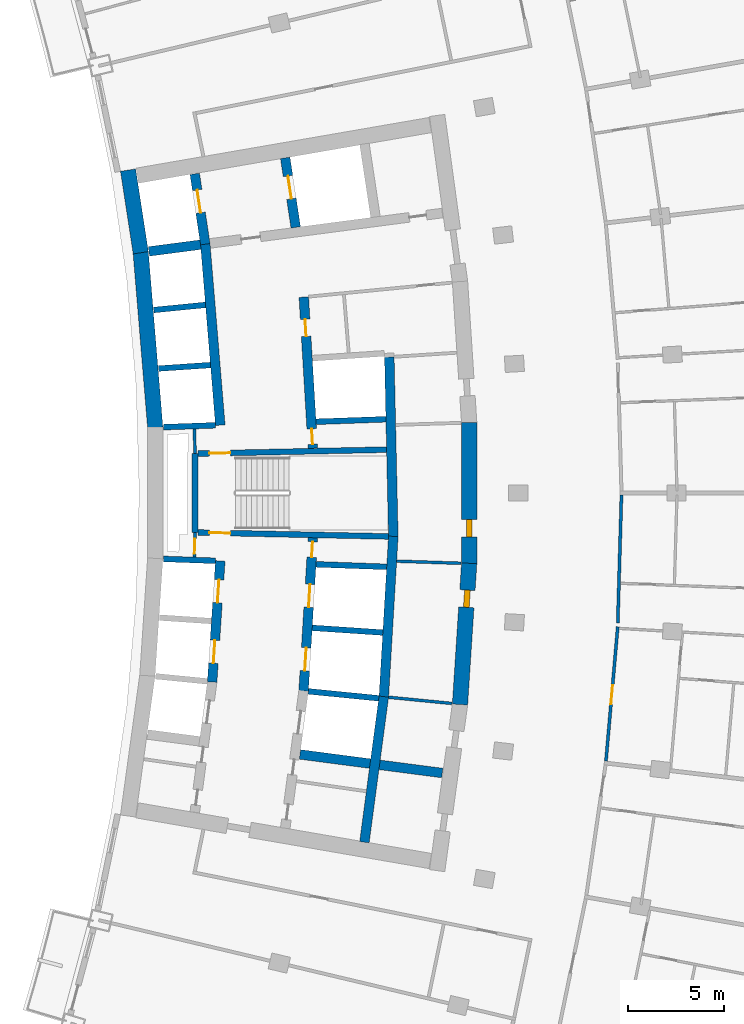
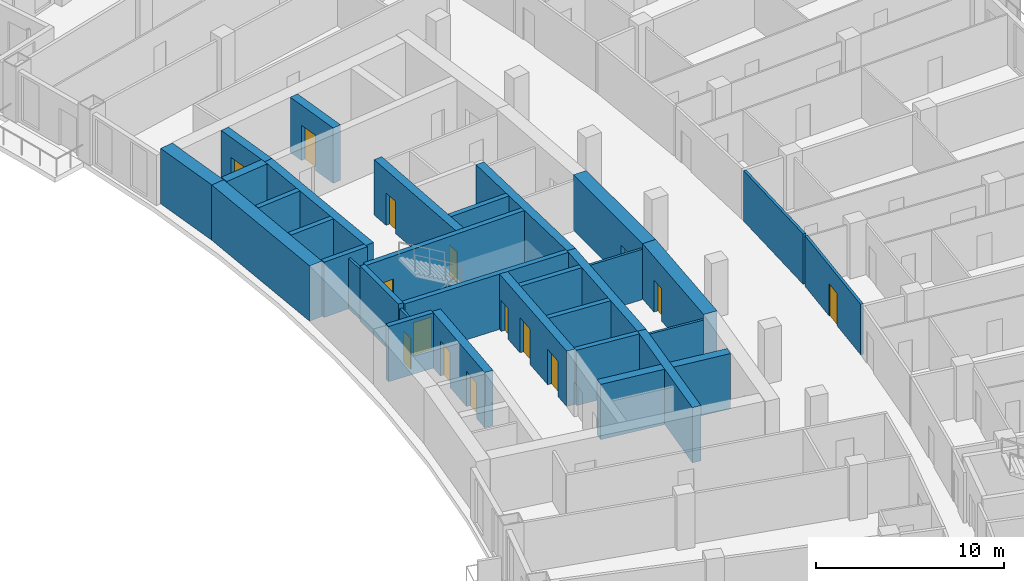
# One storey, part 16 of 25: 33 walls, 15 doors, 15 openings.
"""IFC4 building model written with IfcOpenShell, lengths in metres."""

from ifc_helpers import new_model, si_unit, direction, frame, frame_2d, origin, place, context, subcontext, project, spatial, rectangle, extrude, material, layer, layer_set, type_object, element, fill, save


model = new_model("IFC4")

# Units and contexts
model_context = context("Model", 3, precision=1e-05, world=origin(), true_north=direction((0.0, 1.0)))
body_context = subcontext(model_context, "Body", "Model", "MODEL_VIEW")
ifc_project = project(units=[si_unit("LENGTHUNIT", "METRE"), si_unit("AREAUNIT", "SQUARE_METRE"), si_unit("VOLUMEUNIT", "CUBIC_METRE"), si_unit("PLANEANGLEUNIT", "RADIAN"), si_unit("MASSUNIT", "GRAM", prefix="KILO")], contexts=[model_context])

# Site, building, storey
site_placement = place(None, origin())
site = spatial("IfcSite", under=ifc_project, at=site_placement, CompositionType="ELEMENT")
building_placement = place(site_placement, origin())
building = spatial("IfcBuilding", under=site, at=building_placement, Name="Alderwake Tower", CompositionType="ELEMENT")
storey_placement = place(building_placement, frame((0.0, 0.0, 118.39990234375)))
storey = spatial("IfcBuildingStorey", under=building, at=storey_placement, Name="L29", CompositionType="ELEMENT", Elevation=118.39990234375)

# Wall, opening, door
ifc_material_1 = material(Name="Gypsum shaft wall system, rated")
ifc_layer_1 = layer(ifc_material_1, 0.14990234375)
ifc_layer_set_1 = layer_set([ifc_layer_1], Name="Core room partition 150")
wall_type_1 = type_object("IfcWallType", Name="Core room partition 150", PredefinedType="PARTITIONING", material=ifc_layer_set_1)
wall_1_placement = place(storey_placement, frame((18.918701171875, 58.94384765625, 0.0), z_axis=(0.0, 0.0, 1.0), x_axis=(-0.027348257573, -0.999625966453, 0.0)))
wall_1 = element("IfcWall", 1, at=wall_1_placement, inside=storey, type_object=wall_type_1, Name="CW/L29/PA+24_-37", PredefinedType="PARTITIONING", context=body_context, shape_type="SweptSolid", body=[
    extrude(rectangle(XDim=1.29443359375, YDim=0.14990234375, at=frame_2d((0.647216796875, 0.0))), origin(), (0.0, 0.0, 1.0), 3.280029296875),
])
opening_1_placement = place(wall_1_placement, frame((0.322998046875, 0.0, 0.0)))
opening_1 = element("IfcOpeningElement", 2, at=opening_1_placement, cuts=wall_1, Name="Opening C004", PredefinedType="OPENING", context=body_context, shape_type="SweptSolid", body=[
    extrude(rectangle(XDim=0.800048828125, YDim=2.0, at=frame_2d((0.39990234375, 1.0))), frame((0.0, 0.0849609375, 0.0), z_axis=(0.0, -1.0, 0.0), x_axis=(1.0, 0.0, 0.0)), (0.0, 0.0, 1.0), 0.169921875),
])
ifc_material_2 = material(Name="Painted steel leaf, rated", Category="steel")
door_type_1 = type_object("IfcDoorType", Name="Riser access door 800", OperationType="SINGLE_SWING_LEFT", PredefinedType="DOOR", material=ifc_material_2)
door_1_placement = place(opening_1_placement, origin())
door_1 = element("IfcDoor", 3, at=door_1_placement, inside=storey, type_object=door_type_1, Name="Riser access door", OperationType="SINGLE_SWING_RIGHT", OverallHeight=2.0, OverallWidth=0.800048828125, PredefinedType="DOOR", context=body_context, shape_type="SweptSolid", body=[
    extrude(rectangle(XDim=0.800048828125, YDim=2.0, at=frame_2d((0.39990234375, 1.0))), frame((0.0, 0.02490234375, 0.0), z_axis=(0.0, -1.0, 0.0), x_axis=(1.0, 0.0, 0.0)), (0.0, 0.0, 1.0), 0.050048828125),
])
fill(opening_1, door_1)

# Walls
wall_2_placement = place(storey_placement, frame((18.918701171875, 63.05517578125, 0.0), z_axis=(0.0, 0.0, 1.0), x_axis=(-0.027327648352, 0.999626530078, 0.0)))
element("IfcWall", 4, at=wall_2_placement, inside=storey, type_object=wall_type_1, Name="CW/L29/PA+24_+22", PredefinedType="PARTITIONING", context=body_context, shape_type="SweptSolid", body=[
    extrude(rectangle(XDim=1.29541015625, YDim=0.14990234375, at=frame_2d((0.647705078125, 0.0))), origin(), (0.0, 0.0, 1.0), 3.280029296875),
])
wall_3_placement = place(storey_placement, frame((29.029296875, 50.331298828125, 0.0), z_axis=(0.0, 0.0, 1.0), x_axis=(0.995248248589, -0.097370034814, 0.0)))
element("IfcWall", 5, at=wall_3_placement, inside=storey, type_object=wall_type_1, Name="CW/L29/PR-102_+128", PredefinedType="PARTITIONING", context=body_context, shape_type="SweptSolid", body=[
    extrude(rectangle(XDim=3.31982421875, YDim=0.14990234375, at=frame_2d((1.659912109375, 0.0))), origin(), (0.0, 0.0, 1.0), 3.280029296875),
])
wall_4_placement = place(storey_placement, frame((29.45068359375, 57.440185546875, 0.0), z_axis=(0.0, 0.0, 1.0), x_axis=(0.999470404779, -0.0325408969, 0.0)))
element("IfcWall", 6, at=wall_4_placement, inside=storey, type_object=wall_type_1, Name="CW/L29/PR-34_+128", PredefinedType="PARTITIONING", context=body_context, shape_type="SweptSolid", body=[
    extrude(rectangle(XDim=3.361083984375, YDim=0.14990234375, at=frame_2d((1.6806640625, 0.0))), origin(), (0.0, 0.0, 1.0), 3.280029296875),
])
ifc_material_3 = material(Name="Concrete C70/85", Category="concrete")
ifc_layer_2 = layer(ifc_material_3, 0.800048828125)
ifc_layer_set_2 = layer_set([ifc_layer_2], Name="Core wall outer 800 C70-85")
wall_type_2 = type_object("IfcWallType", Name="Core wall outer 800 C70-85", PredefinedType="SHEAR", material=ifc_layer_set_2)
wall_5_placement = place(storey_placement, frame((16.8408203125, 64.410888671875, 0.0), z_axis=(0.0, 0.0, 1.0), x_axis=(-0.082619502339, 0.996581164699, 0.0)))
element("IfcWall", 7, at=wall_5_placement, inside=storey, type_object=wall_type_2, Name="Core wall CW.040", PredefinedType="SHEAR", context=body_context, shape_type="SweptSolid", body=[
    extrude(rectangle(XDim=9.201904296875, YDim=0.800048828125, at=frame_2d((4.60107421875, 0.0))), origin(), (0.0, 0.0, 1.0), 3.60009765625),
])
wall_6_placement = place(storey_placement, frame((16.083984375, 73.552490234375, 0.0), z_axis=(0.0, 0.0, 1.0), x_axis=(-0.151981606421, 0.988383322052, 0.0)))
element("IfcWall", 8, at=wall_6_placement, inside=storey, type_object=wall_type_2, Name="Core wall CW.039", PredefinedType="SHEAR", context=body_context, shape_type="SweptSolid", body=[
    extrude(rectangle(XDim=4.369384765625, YDim=0.800048828125, at=frame_2d((2.1845703125, 0.0))), origin(), (0.0, 0.0, 1.0), 3.60009765625),
])

# Wall, opening, door
wall_7_placement = place(storey_placement, frame((33.240966796875, 57.330322265625, 0.0), z_axis=(0.0, 0.0, 1.0), x_axis=(-0.064976219143, -0.997886812693, 0.0)))
wall_7 = element("IfcWall", 9, at=wall_7_placement, inside=storey, type_object=wall_type_2, Name="Core wall CW.011", PredefinedType="SHEAR", context=body_context, shape_type="SweptSolid", body=[
    extrude(rectangle(XDim=7.39453125, YDim=0.800048828125, at=frame_2d((3.697265625, 0.0))), origin(), (0.0, 0.0, 1.0), 3.60009765625),
])
opening_2_placement = place(wall_7_placement, frame((1.40478515625, 0.0, 0.0)))
opening_2 = element("IfcOpeningElement", 10, at=opening_2_placement, cuts=wall_7, Name="Opening C026", PredefinedType="OPENING", context=body_context, shape_type="SweptSolid", body=[
    extrude(rectangle(XDim=0.89990234375, YDim=2.10009765625, at=frame_2d((0.449951171875, 1.050048828125))), frame((0.0, 0.409912109375, 0.0), z_axis=(0.0, -1.0, 0.0), x_axis=(1.0, 0.0, 0.0)), (0.0, 0.0, 1.0), 0.820068359375),
])
ifc_material_4 = material(Name="Painted steel leaf", Category="steel")
door_type_2 = type_object("IfcDoorType", Name="Core room door 900", OperationType="SINGLE_SWING_LEFT", PredefinedType="DOOR", material=ifc_material_4)
door_2_placement = place(opening_2_placement, origin())
door_2 = element("IfcDoor", 11, at=door_2_placement, inside=storey, type_object=door_type_2, Name="Room door", OperationType="SINGLE_SWING_RIGHT", OverallHeight=2.10009765625, OverallWidth=0.89990234375, PredefinedType="DOOR", context=body_context, shape_type="SweptSolid", body=[
    extrude(rectangle(XDim=0.89990234375, YDim=2.10009765625, at=frame_2d((0.449951171875, 1.050048828125))), frame((0.0, 0.14990234375, 0.0), z_axis=(0.0, -1.0, 0.0), x_axis=(1.0, 0.0, 0.0)), (0.0, 0.0, 1.0), 0.300048828125),
])
fill(opening_2, door_2)

wall_8_placement = place(storey_placement, frame((33.239990234375, 64.69677734375, 0.0), z_axis=(0.0, 0.0, 1.0), x_axis=(0.0, -1.0, 0.0)))
wall_8 = element("IfcWall", 12, at=wall_8_placement, inside=storey, type_object=wall_type_2, Name="Core wall CW.013", PredefinedType="SHEAR", context=body_context, shape_type="SweptSolid", body=[
    extrude(rectangle(XDim=7.3935546875, YDim=0.800048828125, at=frame_2d((3.69677734375, 0.0))), origin(), (0.0, 0.0, 1.0), 3.60009765625),
])
opening_3_placement = place(wall_8_placement, frame((5.08837890625, 0.0, 0.0)))
opening_3 = element("IfcOpeningElement", 13, at=opening_3_placement, cuts=wall_8, Name="Opening C030", PredefinedType="OPENING", context=body_context, shape_type="SweptSolid", body=[
    extrude(rectangle(XDim=0.89990234375, YDim=2.10009765625, at=frame_2d((0.449951171875, 1.050048828125))), frame((0.0, 0.409912109375, 0.0), z_axis=(0.0, -1.0, 0.0), x_axis=(1.0, 0.0, 0.0)), (0.0, 0.0, 1.0), 0.820068359375),
])
door_3_placement = place(opening_3_placement, origin())
door_3 = element("IfcDoor", 14, at=door_3_placement, inside=storey, type_object=door_type_2, Name="Room door", OperationType="SINGLE_SWING_LEFT", OverallHeight=2.10009765625, OverallWidth=0.89990234375, PredefinedType="DOOR", context=body_context, shape_type="SweptSolid", body=[
    extrude(rectangle(XDim=0.89990234375, YDim=2.10009765625, at=frame_2d((0.449951171875, 1.050048828125))), frame((0.0, 0.14990234375, 0.0), z_axis=(0.0, -1.0, 0.0), x_axis=(1.0, 0.0, 0.0)), (0.0, 0.0, 1.0), 0.300048828125),
])
fill(opening_3, door_3)

# Walls
ifc_material_5 = material(Name="Concrete C70/85", Category="concrete")
ifc_layer_3 = layer(ifc_material_5, 0.300048828125)
ifc_layer_set_3 = layer_set([ifc_layer_3], Name="Core wall shaft 300 C70-85")
wall_type_3 = type_object("IfcWallType", Name="Core wall shaft 300 C70-85", PredefinedType="SHEAR", material=ifc_layer_set_3)
wall_9_placement = place(storey_placement, frame((24.839599609375, 50.64013671875, 0.0), z_axis=(0.0, 0.0, 1.0), x_axis=(0.995150987401, -0.098359098589, 0.0)))
element("IfcWall", 15, at=wall_9_placement, inside=storey, type_object=wall_type_3, Name="Core wall CW.066", PredefinedType="SHEAR", context=body_context, shape_type="SweptSolid", body=[
    extrude(rectangle(XDim=3.69580078125, YDim=0.300048828125, at=frame_2d((1.847900390625, 0.0))), origin(), (0.0, 0.0, 1.0), 3.60009765625),
])
wall_10_placement = place(storey_placement, frame((25.0400390625, 53.9580078125, 0.0), z_axis=(0.0, 0.0, 1.0), x_axis=(0.997759957359, -0.066895945251, 0.0)))
element("IfcWall", 16, at=wall_10_placement, inside=storey, type_object=wall_type_3, Name="Core wall CW.080", PredefinedType="SHEAR", context=body_context, shape_type="SweptSolid", body=[
    extrude(rectangle(XDim=3.697021484375, YDim=0.300048828125, at=frame_2d((1.8486328125, 0.0))), origin(), (0.0, 0.0, 1.0), 3.60009765625),
])
wall_11_placement = place(storey_placement, frame((17.269287109375, 57.556884765625, 0.0), z_axis=(0.0, 0.0, 1.0), x_axis=(0.999374351644, -0.035368139275, 0.0)))
element("IfcWall", 17, at=wall_11_placement, inside=storey, type_object=wall_type_3, Name="Core wall CW.076", PredefinedType="SHEAR", context=body_context, shape_type="SweptSolid", body=[
    extrude(rectangle(XDim=2.7197265625, YDim=0.300048828125, at=frame_2d((1.35986328125, 0.0))), origin(), (0.0, 0.0, 1.0), 3.60009765625),
])
wall_12_placement = place(storey_placement, frame((25.240478515625, 57.27490234375, 0.0), z_axis=(0.0, 0.0, 1.0), x_axis=(0.999372332678, -0.035425141877, 0.0)))
element("IfcWall", 18, at=wall_12_placement, inside=storey, type_object=wall_type_3, Name="Core wall CW.077", PredefinedType="SHEAR", context=body_context, shape_type="SweptSolid", body=[
    extrude(rectangle(XDim=3.69384765625, YDim=0.300048828125, at=frame_2d((1.846923828125, 0.0))), origin(), (0.0, 0.0, 1.0), 3.60009765625),
])
wall_13_placement = place(storey_placement, frame((17.269287109375, 64.443115234375, 0.0), z_axis=(0.0, 0.0, 1.0), x_axis=(0.999374239339, 0.03537131246, 0.0)))
element("IfcWall", 19, at=wall_13_placement, inside=storey, type_object=wall_type_3, Name="Core wall CW.059", PredefinedType="SHEAR", context=body_context, shape_type="SweptSolid", body=[
    extrude(rectangle(XDim=2.719482421875, YDim=0.300048828125, at=frame_2d((1.35986328125, 0.0))), origin(), (0.0, 0.0, 1.0), 3.60009765625),
])
wall_14_placement = place(storey_placement, frame((25.2412109375, 64.725341796875, 0.0), z_axis=(0.0, 0.0, 1.0), x_axis=(0.999374468163, 0.035364846723, 0.0)))
element("IfcWall", 20, at=wall_14_placement, inside=storey, type_object=wall_type_3, Name="Core wall CW.060", PredefinedType="SHEAR", context=body_context, shape_type="SweptSolid", body=[
    extrude(rectangle(XDim=3.65185546875, YDim=0.300048828125, at=frame_2d((1.825927734375, 0.0))), origin(), (0.0, 0.0, 1.0), 3.60009765625),
])
for number, where, z_axis, x_axis, name in (
    (21, (17.015869140625, 67.50390625, 0.0), (0.0, 0.0, 1.0), (0.997756033475, 0.066954444689, 0.0), "Core wall CW.062"),
    (22, (16.76220703125, 70.561767578125, 0.0), (0.0, 0.0, 1.0), (0.995154832978, 0.098320183083, 0.0), "Core wall CW.050"),
):
    element("IfcWall", number, at=place(storey_placement, frame(where, z_axis=z_axis, x_axis=x_axis)), inside=storey, type_object=wall_type_3, Name=name, PredefinedType="SHEAR", context=body_context, shape_type="SweptSolid", body=[
        extrude(rectangle(XDim=2.716552734375, YDim=0.300048828125, at=frame_2d((1.3583984375, 0.0))), origin(), (0.0, 0.0, 1.0), 3.60009765625),
    ])

# Wall, openings, doors
ifc_material_6 = material(Name="Concrete C70/85", Category="concrete")
ifc_layer_4 = layer(ifc_material_6, 0.5)
ifc_layer_set_4 = layer_set([ifc_layer_4], Name="Core wall spine 500 C70-85")
wall_type_4 = type_object("IfcWallType", Name="Core wall spine 500 C70-85", PredefinedType="SHEAR", material=ifc_layer_set_4)
wall_15_placement = place(storey_placement, frame((19.813232421875, 51.1279296875, 0.0), z_axis=(0.0, 0.0, 1.0), x_axis=(0.066907604831, 0.997759175561, 0.0)))
wall_15 = element("IfcWall", 23, at=wall_15_placement, inside=storey, type_object=wall_type_4, Name="Core wall CW.032", PredefinedType="SHEAR", context=body_context, shape_type="SweptSolid", body=[
    extrude(rectangle(XDim=6.338134765625, YDim=0.5, at=frame_2d((3.1689453125, 0.0))), origin(), (0.0, 0.0, 1.0), 3.60009765625),
])
opening_4_placement = place(wall_15_placement, frame((0.990966796875, 0.0, 0.0)))
opening_4 = element("IfcOpeningElement", 24, at=opening_4_placement, cuts=wall_15, Name="Opening LD-LP2", PredefinedType="OPENING", context=body_context, shape_type="SweptSolid", body=[
    extrude(rectangle(XDim=1.199951171875, YDim=2.300048828125, at=frame_2d((0.60009765625, 1.14990234375))), frame((0.0, 0.260009765625, 0.0), z_axis=(0.0, -1.0, 0.0), x_axis=(1.0, 0.0, 0.0)), (0.0, 0.0, 1.0), 0.52001953125),
])
opening_5_placement = place(wall_15_placement, frame((4.156005859375, 0.0, 0.0)))
opening_5 = element("IfcOpeningElement", 25, at=opening_5_placement, cuts=wall_15, Name="Opening LD-LP3", PredefinedType="OPENING", context=body_context, shape_type="SweptSolid", body=[
    extrude(rectangle(XDim=1.199951171875, YDim=2.300048828125, at=frame_2d((0.60009765625, 1.14990234375))), frame((0.0, 0.260009765625, 0.0), z_axis=(0.0, -1.0, 0.0), x_axis=(1.0, 0.0, 0.0)), (0.0, 0.0, 1.0), 0.52001953125),
])
ifc_material_7 = material(Name="Stainless steel sliding leaf", Category="steel")
door_type_3 = type_object("IfcDoorType", Name="Lift landing door 1200", OperationType="SLIDING_TO_LEFT", PredefinedType="DOOR", material=ifc_material_7)
door_4_placement = place(opening_4_placement, origin())
door_4 = element("IfcDoor", 26, at=door_4_placement, inside=storey, type_object=door_type_3, Name="Lift landing door LP2", OperationType="SLIDING_TO_LEFT", OverallHeight=2.300048828125, OverallWidth=1.199951171875, PredefinedType="DOOR", context=body_context, shape_type="SweptSolid", body=[
    extrude(rectangle(XDim=1.199951171875, YDim=2.300048828125, at=frame_2d((0.60009765625, 1.14990234375))), frame((0.0, 0.02490234375, 0.0), z_axis=(0.0, -1.0, 0.0), x_axis=(1.0, 0.0, 0.0)), (0.0, 0.0, 1.0), 0.050048828125),
])
fill(opening_4, door_4)
door_5_placement = place(opening_5_placement, origin())
door_5 = element("IfcDoor", 27, at=door_5_placement, inside=storey, type_object=door_type_3, Name="Lift landing door LP3", OperationType="SLIDING_TO_LEFT", OverallHeight=2.300048828125, OverallWidth=1.199951171875, PredefinedType="DOOR", context=body_context, shape_type="SweptSolid", body=[
    extrude(rectangle(XDim=1.199951171875, YDim=2.300048828125, at=frame_2d((0.60009765625, 1.14990234375))), frame((0.0, 0.02490234375, 0.0), z_axis=(0.0, -1.0, 0.0), x_axis=(1.0, 0.0, 0.0)), (0.0, 0.0, 1.0), 0.050048828125),
])
fill(opening_5, door_5)

# Wall
wall_16_placement = place(storey_placement, frame((20.2373046875, 64.548095703125, 0.0), z_axis=(0.0, 0.0, 1.0), x_axis=(-0.082641410547, 0.996579348202, 0.0)))
element("IfcWall", 28, at=wall_16_placement, inside=storey, type_object=wall_type_4, Name="Core wall CW.031", PredefinedType="SHEAR", context=body_context, shape_type="SweptSolid", body=[
    extrude(rectangle(XDim=9.500732421875, YDim=0.5, at=frame_2d((4.75048828125, 0.0))), origin(), (0.0, 0.0, 1.0), 3.60009765625),
])

# Wall, opening, door
wall_17_placement = place(storey_placement, frame((19.4541015625, 73.9990234375, 0.0), z_axis=(0.0, 0.0, 1.0), x_axis=(-0.14792928808, 0.988997940204, 0.0)))
wall_17 = element("IfcWall", 29, at=wall_17_placement, inside=storey, type_object=wall_type_4, Name="Core wall CW.030", PredefinedType="SHEAR", context=body_context, shape_type="SweptSolid", body=[
    extrude(rectangle(XDim=3.716552734375, YDim=0.5, at=frame_2d((1.8583984375, 0.0))), origin(), (0.0, 0.0, 1.0), 3.60009765625),
])
opening_6_placement = place(wall_17_placement, frame((1.66259765625, 0.0, 0.0)))
opening_6 = element("IfcOpeningElement", 30, at=opening_6_placement, cuts=wall_17, Name="Opening LD-FF1", PredefinedType="OPENING", context=body_context, shape_type="SweptSolid", body=[
    extrude(rectangle(XDim=1.199951171875, YDim=2.300048828125, at=frame_2d((0.60009765625, 1.14990234375))), frame((0.0, 0.260009765625, 0.0), z_axis=(0.0, -1.0, 0.0), x_axis=(1.0, 0.0, 0.0)), (0.0, 0.0, 1.0), 0.52001953125),
])
door_6_placement = place(opening_6_placement, origin())
door_6 = element("IfcDoor", 31, at=door_6_placement, inside=storey, type_object=door_type_3, Name="Lift landing door FF1", OperationType="SLIDING_TO_LEFT", OverallHeight=2.300048828125, OverallWidth=1.199951171875, PredefinedType="DOOR", context=body_context, shape_type="SweptSolid", body=[
    extrude(rectangle(XDim=1.199951171875, YDim=2.300048828125, at=frame_2d((0.60009765625, 1.14990234375))), frame((0.0, 0.02490234375, 0.0), z_axis=(0.0, -1.0, 0.0), x_axis=(1.0, 0.0, 0.0)), (0.0, 0.0, 1.0), 0.050048828125),
])
fill(opening_6, door_6)

# Wall, openings, doors
wall_18_placement = place(storey_placement, frame((24.590087890625, 50.655029296875, 0.0), z_axis=(0.0, 0.0, 1.0), x_axis=(0.060305817737, 0.998179947879, 0.0)))
wall_18 = element("IfcWall", 32, at=wall_18_placement, inside=storey, type_object=wall_type_4, Name="Core wall CW.046", PredefinedType="SHEAR", context=body_context, shape_type="SweptSolid", body=[
    extrude(rectangle(XDim=8.02392578125, YDim=0.5, at=frame_2d((4.011962890625, 0.0))), origin(), (0.0, 0.0, 1.0), 3.60009765625),
])
opening_7_placement = place(wall_18_placement, frame((1.067138671875, 0.0, 0.0)))
opening_7 = element("IfcOpeningElement", 33, at=opening_7_placement, cuts=wall_18, Name="Opening LD-LP5", PredefinedType="OPENING", context=body_context, shape_type="SweptSolid", body=[
    extrude(rectangle(XDim=1.199951171875, YDim=2.300048828125, at=frame_2d((0.60009765625, 1.14990234375))), frame((0.0, 0.260009765625, 0.0), z_axis=(0.0, -1.0, 0.0), x_axis=(1.0, 0.0, 0.0)), (0.0, 0.0, 1.0), 0.52001953125),
])
opening_8_placement = place(wall_18_placement, frame((4.383544921875, 0.0, 0.0)))
opening_8 = element("IfcOpeningElement", 34, at=opening_8_placement, cuts=wall_18, Name="Opening LD-LP6", PredefinedType="OPENING", context=body_context, shape_type="SweptSolid", body=[
    extrude(rectangle(XDim=1.199951171875, YDim=2.300048828125, at=frame_2d((0.60009765625, 1.14990234375))), frame((0.0, 0.260009765625, 0.0), z_axis=(0.0, -1.0, 0.0), x_axis=(1.0, 0.0, 0.0)), (0.0, 0.0, 1.0), 0.52001953125),
])
opening_9_placement = place(wall_18_placement, frame((7.0078125, 0.0, 0.0)))
opening_9 = element("IfcOpeningElement", 35, at=opening_9_placement, cuts=wall_18, Name="Opening C006", PredefinedType="OPENING", context=body_context, shape_type="SweptSolid", body=[
    extrude(rectangle(XDim=0.800048828125, YDim=2.0, at=frame_2d((0.39990234375, 1.0))), frame((0.0, 0.260009765625, 0.0), z_axis=(0.0, -1.0, 0.0), x_axis=(1.0, 0.0, 0.0)), (0.0, 0.0, 1.0), 0.52001953125),
])
door_7_placement = place(opening_7_placement, origin())
door_7 = element("IfcDoor", 36, at=door_7_placement, inside=storey, type_object=door_type_3, Name="Lift landing door LP5", OperationType="SLIDING_TO_LEFT", OverallHeight=2.300048828125, OverallWidth=1.199951171875, PredefinedType="DOOR", context=body_context, shape_type="SweptSolid", body=[
    extrude(rectangle(XDim=1.199951171875, YDim=2.300048828125, at=frame_2d((0.60009765625, 1.14990234375))), frame((0.0, 0.02490234375, 0.0), z_axis=(0.0, -1.0, 0.0), x_axis=(1.0, 0.0, 0.0)), (0.0, 0.0, 1.0), 0.050048828125),
])
fill(opening_7, door_7)
door_8_placement = place(opening_8_placement, origin())
door_8 = element("IfcDoor", 37, at=door_8_placement, inside=storey, type_object=door_type_3, Name="Lift landing door LP6", OperationType="SLIDING_TO_LEFT", OverallHeight=2.300048828125, OverallWidth=1.199951171875, PredefinedType="DOOR", context=body_context, shape_type="SweptSolid", body=[
    extrude(rectangle(XDim=1.199951171875, YDim=2.300048828125, at=frame_2d((0.60009765625, 1.14990234375))), frame((0.0, 0.02490234375, 0.0), z_axis=(0.0, -1.0, 0.0), x_axis=(1.0, 0.0, 0.0)), (0.0, 0.0, 1.0), 0.050048828125),
])
fill(opening_8, door_8)
door_9_placement = place(opening_9_placement, origin())
door_9 = element("IfcDoor", 38, at=door_9_placement, inside=storey, type_object=door_type_1, Name="Riser access door", OperationType="SINGLE_SWING_RIGHT", OverallHeight=2.0, OverallWidth=0.800048828125, PredefinedType="DOOR", context=body_context, shape_type="SweptSolid", body=[
    extrude(rectangle(XDim=0.800048828125, YDim=2.0, at=frame_2d((0.39990234375, 1.0))), frame((0.0, 0.02490234375, 0.0), z_axis=(0.0, -1.0, 0.0), x_axis=(1.0, 0.0, 0.0)), (0.0, 0.0, 1.0), 0.050048828125),
])
fill(opening_9, door_9)

wall_19_placement = place(storey_placement, frame((25.073974609375, 63.335693359375, 0.0), z_axis=(0.0, 0.0, 1.0), x_axis=(-0.059848641072, 0.998207463487, 0.0)))
wall_19 = element("IfcWall", 39, at=wall_19_placement, inside=storey, type_object=wall_type_4, Name="Core wall CW.045", PredefinedType="SHEAR", context=body_context, shape_type="SweptSolid", body=[
    extrude(rectangle(XDim=7.913818359375, YDim=0.5, at=frame_2d((3.95703125, 0.0))), origin(), (0.0, 0.0, 1.0), 3.60009765625),
])
opening_10_placement = place(wall_19_placement, frame((0.216064453125, 0.0, 0.0)))
opening_10 = element("IfcOpeningElement", 40, at=opening_10_placement, cuts=wall_19, Name="Opening C005", PredefinedType="OPENING", context=body_context, shape_type="SweptSolid", body=[
    extrude(rectangle(XDim=0.800048828125, YDim=2.0, at=frame_2d((0.39990234375, 1.0))), frame((0.0, 0.260009765625, 0.0), z_axis=(0.0, -1.0, 0.0), x_axis=(1.0, 0.0, 0.0)), (0.0, 0.0, 1.0), 0.52001953125),
])
opening_11_placement = place(wall_19_placement, frame((5.856201171875, 0.0, 0.0)))
opening_11 = element("IfcOpeningElement", 41, at=opening_11_placement, cuts=wall_19, Name="Opening C024", PredefinedType="OPENING", context=body_context, shape_type="SweptSolid", body=[
    extrude(rectangle(XDim=0.89990234375, YDim=2.10009765625, at=frame_2d((0.449951171875, 1.050048828125))), frame((0.0, 0.260009765625, 0.0), z_axis=(0.0, -1.0, 0.0), x_axis=(1.0, 0.0, 0.0)), (0.0, 0.0, 1.0), 0.52001953125),
])
door_10_placement = place(opening_11_placement, origin())
door_10 = element("IfcDoor", 42, at=door_10_placement, inside=storey, type_object=door_type_2, Name="Room door", OperationType="SINGLE_SWING_LEFT", OverallHeight=2.10009765625, OverallWidth=0.89990234375, PredefinedType="DOOR", context=body_context, shape_type="SweptSolid", body=[
    extrude(rectangle(XDim=0.89990234375, YDim=2.10009765625, at=frame_2d((0.449951171875, 1.050048828125))), frame((0.0, 0.02490234375, 0.0), z_axis=(0.0, -1.0, 0.0), x_axis=(1.0, 0.0, 0.0)), (0.0, 0.0, 1.0), 0.050048828125),
])
fill(opening_11, door_10)
door_11_placement = place(opening_10_placement, origin())
door_11 = element("IfcDoor", 43, at=door_11_placement, inside=storey, type_object=door_type_1, Name="Riser access door", OperationType="SINGLE_SWING_LEFT", OverallHeight=2.0, OverallWidth=0.800048828125, PredefinedType="DOOR", context=body_context, shape_type="SweptSolid", body=[
    extrude(rectangle(XDim=0.800048828125, YDim=2.0, at=frame_2d((0.39990234375, 1.0))), frame((0.0, 0.02490234375, 0.0), z_axis=(0.0, -1.0, 0.0), x_axis=(1.0, 0.0, 0.0)), (0.0, 0.0, 1.0), 0.050048828125),
])
fill(opening_10, door_11)

# Wall, opening, door
wall_20_placement = place(storey_placement, frame((24.1796875, 74.878173828125, 0.0), z_axis=(0.0, 0.0, 1.0), x_axis=(-0.149334835296, 0.988786684259, 0.0)))
wall_20 = element("IfcWall", 44, at=wall_20_placement, inside=storey, type_object=wall_type_4, Name="Core wall CW.044", PredefinedType="SHEAR", context=body_context, shape_type="SweptSolid", body=[
    extrude(rectangle(XDim=3.673583984375, YDim=0.5, at=frame_2d((1.8369140625, 0.0))), origin(), (0.0, 0.0, 1.0), 3.60009765625),
])
opening_12_placement = place(wall_20_placement, frame((1.51171875, 0.0, 0.0)))
opening_12 = element("IfcOpeningElement", 45, at=opening_12_placement, cuts=wall_20, Name="Opening LD-FF2", PredefinedType="OPENING", context=body_context, shape_type="SweptSolid", body=[
    extrude(rectangle(XDim=1.199951171875, YDim=2.300048828125, at=frame_2d((0.60009765625, 1.14990234375))), frame((0.0, 0.260009765625, 0.0), z_axis=(0.0, -1.0, 0.0), x_axis=(1.0, 0.0, 0.0)), (0.0, 0.0, 1.0), 0.52001953125),
])
door_12_placement = place(opening_12_placement, origin())
door_12 = element("IfcDoor", 46, at=door_12_placement, inside=storey, type_object=door_type_3, Name="Lift landing door FF2", OperationType="SLIDING_TO_LEFT", OverallHeight=2.300048828125, OverallWidth=1.199951171875, PredefinedType="DOOR", context=body_context, shape_type="SweptSolid", body=[
    extrude(rectangle(XDim=1.199951171875, YDim=2.300048828125, at=frame_2d((0.60009765625, 1.14990234375))), frame((0.0, 0.02490234375, 0.0), z_axis=(0.0, -1.0, 0.0), x_axis=(1.0, 0.0, 0.0)), (0.0, 0.0, 1.0), 0.050048828125),
])
fill(opening_12, door_12)

# Walls
wall_21_placement = place(storey_placement, frame((27.76708984375, 42.75830078125, 0.0), z_axis=(0.0, 0.0, 1.0), x_axis=(0.132213731211, 0.991221231249, 0.0)))
element("IfcWall", 47, at=wall_21_placement, inside=storey, type_object=wall_type_4, Name="Core wall CW.006", PredefinedType="SHEAR", context=body_context, shape_type="SweptSolid", body=[
    extrude(rectangle(XDim=7.67431640625, YDim=0.5, at=frame_2d((3.837158203125, 0.0))), origin(), (0.0, 0.0, 1.0), 3.60009765625),
])
wall_22_placement = place(storey_placement, frame((28.77978515625, 50.345947265625, 0.0), z_axis=(0.0, 0.0, 1.0), x_axis=(0.059159556477, 0.998248539632, 0.0)))
element("IfcWall", 48, at=wall_22_placement, inside=storey, type_object=wall_type_4, Name="Core wall CW.004", PredefinedType="SHEAR", context=body_context, shape_type="SweptSolid", body=[
    extrude(rectangle(XDim=8.40625, YDim=0.5, at=frame_2d((4.203125, 0.0))), origin(), (0.0, 0.0, 1.0), 3.60009765625),
])
wall_23_placement = place(storey_placement, frame((29.276611328125, 58.71630859375, 0.0), z_axis=(0.0, 0.0, 1.0), x_axis=(-0.022115722908, 0.99975541749, 0.0)))
element("IfcWall", 49, at=wall_23_placement, inside=storey, type_object=wall_type_4, Name="Core wall CW.007", PredefinedType="SHEAR", context=body_context, shape_type="SweptSolid", body=[
    extrude(rectangle(XDim=9.394287109375, YDim=0.5, at=frame_2d((4.697265625, 0.0))), origin(), (0.0, 0.0, 1.0), 3.60009765625),
])
wall_24_placement = place(storey_placement, frame((24.39892578125, 47.345458984375, 0.0), z_axis=(0.0, 0.0, 1.0), x_axis=(0.991553185565, -0.129700733209, 0.0)))
element("IfcWall", 50, at=wall_24_placement, inside=storey, type_object=wall_type_4, Name="Core wall CW.069", PredefinedType="SHEAR", context=body_context, shape_type="SweptSolid", body=[
    extrude(rectangle(XDim=3.695068359375, YDim=0.5, at=frame_2d((1.84765625, 0.0))), origin(), (0.0, 0.0, 1.0), 3.60009765625),
])
wall_25_placement = place(storey_placement, frame((28.55859375, 46.80126953125, 0.0), z_axis=(0.0, 0.0, 1.0), x_axis=(0.991555852521, -0.129680342885, 0.0)))
element("IfcWall", 51, at=wall_25_placement, inside=storey, type_object=wall_type_4, Name="Core wall CW.068", PredefinedType="SHEAR", context=body_context, shape_type="SweptSolid", body=[
    extrude(rectangle(XDim=3.303955078125, YDim=0.5, at=frame_2d((1.65185546875, 0.0))), origin(), (0.0, 0.0, 1.0), 3.60009765625),
])
wall_26_placement = place(storey_placement, frame((16.508544921875, 73.62255859375, 0.0), z_axis=(0.0, 0.0, 1.0), x_axis=(0.991548766325, 0.129734513522, 0.0)))
element("IfcWall", 52, at=wall_26_placement, inside=storey, type_object=wall_type_4, Name="Core wall CW.051", PredefinedType="SHEAR", context=body_context, shape_type="SweptSolid", body=[
    extrude(rectangle(XDim=2.71923828125, YDim=0.5, at=frame_2d((1.359619140625, 0.0))), origin(), (0.0, 0.0, 1.0), 3.60009765625),
])
ifc_material_8 = material(Name="Concrete C70/85", Category="concrete")
ifc_layer_5 = layer(ifc_material_8, 0.300048828125)
ifc_layer_set_5 = layer_set([ifc_layer_5], Name="Core wall stair enclosure 300 C70-85")
wall_type_5 = type_object("IfcWallType", Name="Core wall stair enclosure 300 C70-85", PredefinedType="SHEAR", material=ifc_layer_set_5)
wall_27_placement = place(storey_placement, frame((18.918701171875, 58.94091796875, 0.0), z_axis=(0.0, 0.0, 1.0), x_axis=(0.0, 1.0, 0.0)))
element("IfcWall", 53, at=wall_27_placement, inside=storey, type_object=wall_type_5, Name="Core wall CW.024", PredefinedType="SHEAR", context=body_context, shape_type="SweptSolid", body=[
    extrude(rectangle(XDim=4.119384765625, YDim=0.300048828125, at=frame_2d((2.0595703125, 0.0))), origin(), (0.0, 0.0, 1.0), 3.60009765625),
])

# Wall, opening, door
wall_28_placement = place(storey_placement, frame((29.026123046875, 58.73193359375, 0.0), z_axis=(0.0, 0.0, 1.0), x_axis=(-0.999783418156, 0.020811457903, 0.0)))
wall_28 = element("IfcWall", 54, at=wall_28_placement, inside=storey, type_object=wall_type_5, Name="Core wall CW.074", PredefinedType="SHEAR", context=body_context, shape_type="SweptSolid", body=[
    extrude(rectangle(XDim=9.959716796875, YDim=0.300048828125, at=frame_2d((4.97998046875, 0.0))), origin(), (0.0, 0.0, 1.0), 3.60009765625),
])
opening_13_placement = place(wall_28_placement, frame((8.259765625, 0.0, 0.0)))
opening_13 = element("IfcOpeningElement", 55, at=opening_13_placement, cuts=wall_28, Name="Opening C063", PredefinedType="OPENING", context=body_context, shape_type="SweptSolid", body=[
    extrude(rectangle(XDim=1.10009765625, YDim=2.10009765625, at=frame_2d((0.550048828125, 1.050048828125))), frame((0.0, 0.159912109375, 0.0), z_axis=(0.0, -1.0, 0.0), x_axis=(1.0, 0.0, 0.0)), (0.0, 0.0, 1.0), 0.320068359375),
])
ifc_material_9 = material(Name="Steel-framed fire door leaf", Category="steel")
door_type_4 = type_object("IfcDoorType", Name="Core stair door 1100 fire-rated", OperationType="SINGLE_SWING_LEFT", PredefinedType="DOOR", material=ifc_material_9)
door_13_placement = place(opening_13_placement, origin())
door_13 = element("IfcDoor", 56, at=door_13_placement, inside=storey, type_object=door_type_4, Name="Stair door", OperationType="SINGLE_SWING_RIGHT", OverallHeight=2.10009765625, OverallWidth=1.10009765625, PredefinedType="DOOR", context=body_context, shape_type="SweptSolid", body=[
    extrude(rectangle(XDim=1.10009765625, YDim=2.10009765625, at=frame_2d((0.550048828125, 1.050048828125))), frame((0.0, 0.02490234375, 0.0), z_axis=(0.0, -1.0, 0.0), x_axis=(1.0, 0.0, 0.0)), (0.0, 0.0, 1.0), 0.050048828125),
])
fill(opening_13, door_13)

wall_29_placement = place(storey_placement, frame((19.068603515625, 63.060791015625, 0.0), z_axis=(0.0, 0.0, 1.0), x_axis=(0.999783647187, 0.02080045235, 0.0)))
wall_29 = element("IfcWall", 57, at=wall_29_placement, inside=storey, type_object=wall_type_5, Name="Core wall CW.057", PredefinedType="SHEAR", context=body_context, shape_type="SweptSolid", body=[
    extrude(rectangle(XDim=9.859375, YDim=0.300048828125, at=frame_2d((4.9296875, 0.0))), origin(), (0.0, 0.0, 1.0), 3.60009765625),
])
opening_14_placement = place(wall_29_placement, frame((0.60009765625, 0.0, 0.0)))
opening_14 = element("IfcOpeningElement", 58, at=opening_14_placement, cuts=wall_29, Name="Opening C064", PredefinedType="OPENING", context=body_context, shape_type="SweptSolid", body=[
    extrude(rectangle(XDim=1.10009765625, YDim=2.10009765625, at=frame_2d((0.550048828125, 1.050048828125))), frame((0.0, 0.159912109375, 0.0), z_axis=(0.0, -1.0, 0.0), x_axis=(1.0, 0.0, 0.0)), (0.0, 0.0, 1.0), 0.320068359375),
])
door_14_placement = place(opening_14_placement, origin())
door_14 = element("IfcDoor", 59, at=door_14_placement, inside=storey, type_object=door_type_4, Name="Stair door", OperationType="SINGLE_SWING_LEFT", OverallHeight=2.10009765625, OverallWidth=1.10009765625, PredefinedType="DOOR", context=body_context, shape_type="SweptSolid", body=[
    extrude(rectangle(XDim=1.10009765625, YDim=2.10009765625, at=frame_2d((0.550048828125, 1.050048828125))), frame((0.0, 0.02490234375, 0.0), z_axis=(0.0, -1.0, 0.0), x_axis=(1.0, 0.0, 0.0)), (0.0, 0.0, 1.0), 0.050048828125),
])
fill(opening_14, door_14)

ifc_material_10 = material(Name="Gypsum board on metal studs, rated")
ifc_layer_6 = layer(ifc_material_10, 0.159912109375)
ifc_layer_set_6 = layer_set([ifc_layer_6], Name="Corridor wall 160")
wall_type_6 = type_object("IfcWallType", Name="Corridor wall 160", PredefinedType="PARTITIONING", material=ifc_layer_set_6)
wall_30_placement = place(storey_placement, frame((41.001953125, 54.013671875, 0.0), z_axis=(0.0, 0.0, 1.0), x_axis=(-0.087430787456, -0.996170596537, 0.0)))
wall_30 = element("IfcWall", 60, at=wall_30_placement, inside=storey, type_object=wall_type_6, Name="WL/L29/W37", PredefinedType="PARTITIONING", context=body_context, shape_type="SweptSolid", body=[
    extrude(rectangle(XDim=7.048095703125, YDim=0.159912109375, at=frame_2d((3.52392578125, 0.0))), origin(), (0.0, 0.0, 1.0), 3.280029296875),
])
opening_15_placement = place(wall_30_placement, frame((3.064208984375, 0.0, 0.0)))
opening_15 = element("IfcOpeningElement", 61, at=opening_15_placement, cuts=wall_30, Name="Opening R08-U07.2", PredefinedType="OPENING", context=body_context, shape_type="SweptSolid", body=[
    extrude(rectangle(XDim=1.0, YDim=2.10009765625, at=frame_2d((0.5, 1.050048828125))), frame((0.0, 0.08984375, 0.0), z_axis=(0.0, -1.0, 0.0), x_axis=(1.0, 0.0, 0.0)), (0.0, 0.0, 1.0), 0.179931640625),
])
ifc_material_11 = material(Name="Solid timber leaf in steel frame", Category="steel")
door_type_5 = type_object("IfcDoorType", Name="Flat entrance door 1000 fire-rated", OperationType="SINGLE_SWING_LEFT", PredefinedType="DOOR", material=ifc_material_11)
door_15_placement = place(opening_15_placement, origin())
door_15 = element("IfcDoor", 62, at=door_15_placement, inside=storey, type_object=door_type_5, Name="DR/L29/U07.2", OperationType="SINGLE_SWING_LEFT", OverallHeight=2.10009765625, OverallWidth=1.0, PredefinedType="DOOR", context=body_context, shape_type="SweptSolid", body=[
    extrude(rectangle(XDim=1.0, YDim=2.10009765625, at=frame_2d((0.5, 1.050048828125))), frame((0.0, 0.02490234375, 0.0), z_axis=(0.0, -1.0, 0.0), x_axis=(1.0, 0.0, 0.0)), (0.0, 0.0, 1.0), 0.050048828125),
])
fill(opening_15, door_15)

# Wall
wall_31_placement = place(storey_placement, frame((41.002685546875, 54.20068359375, 0.0), z_axis=(0.0, 0.0, 1.0), x_axis=(0.028855161601, 0.999583603131, 0.0)))
element("IfcWall", 63, at=wall_31_placement, inside=storey, type_object=wall_type_6, Name="WL/L29/W39", PredefinedType="PARTITIONING", context=body_context, shape_type="SweptSolid", body=[
    extrude(rectangle(XDim=6.700927734375, YDim=0.159912109375, at=frame_2d((3.3505859375, 0.0))), origin(), (0.0, 0.0, 1.0), 3.280029296875),
])

save(model, "model.ifc")
